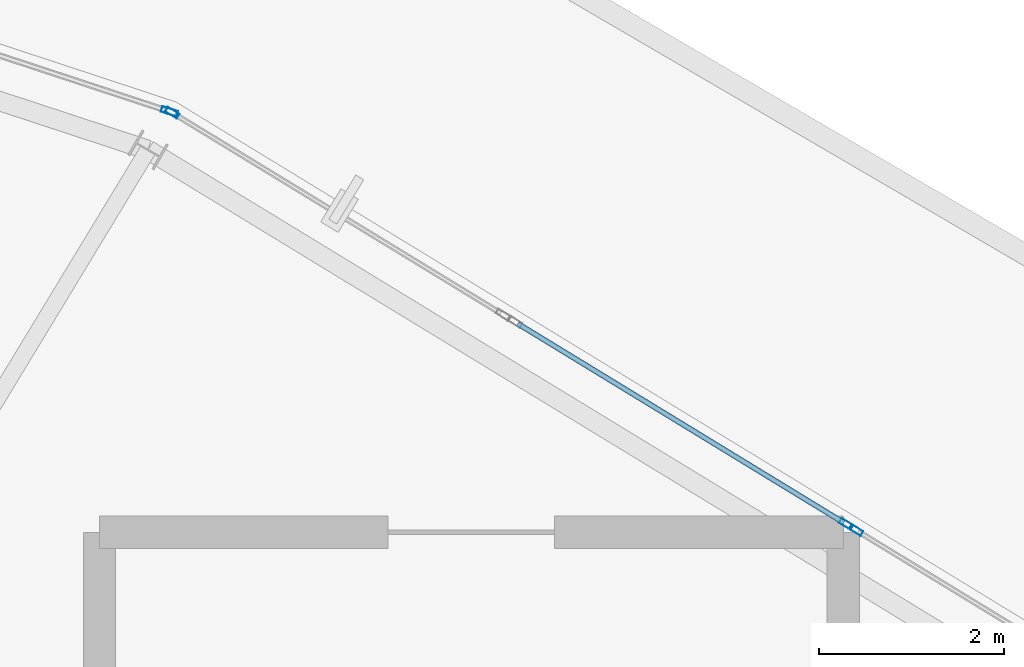
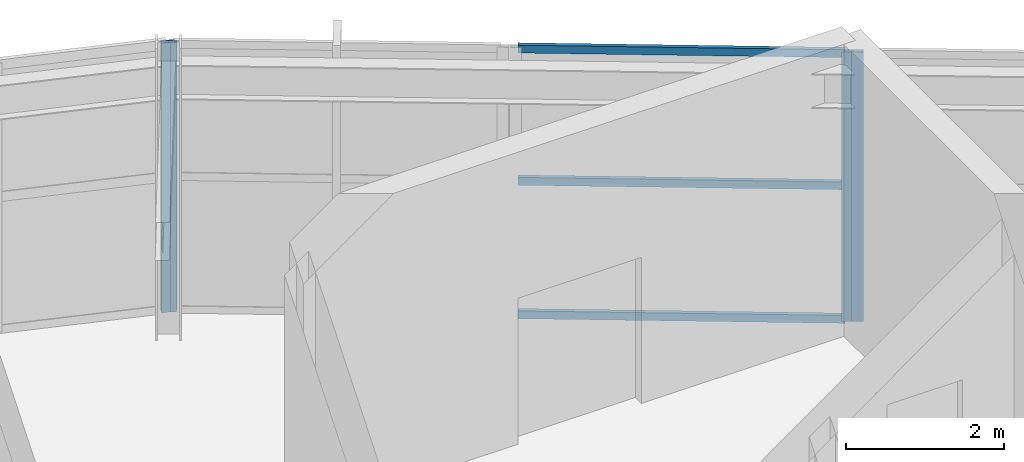
# One storey, part 79 of 126: 7 members, 4 elements without a shape of their own.
"""IFC4 building model written with IfcOpenShell, lengths in metres."""

from ifc_helpers import new_model, si_unit, direction, frame, origin, origin_2d, place, context, subcontext, project, spatial, hollow_rectangle, extrude, material, layer, layer_set, material_profile, profile_set, type_object, element, aggregate, save


model = new_model("IFC4")

# Units and contexts
model_context = context("Model", 3, precision=1e-05, world=origin(), true_north=direction((0.0, 1.0)))
body_context = subcontext(model_context, "Body", "Model", "MODEL_VIEW")
ifc_project = project(units=[si_unit("LENGTHUNIT", "METRE"), si_unit("AREAUNIT", "SQUARE_METRE"), si_unit("VOLUMEUNIT", "CUBIC_METRE"), si_unit("PLANEANGLEUNIT", "RADIAN"), si_unit("MASSUNIT", "GRAM", prefix="KILO")], contexts=[model_context])

# Site, building, storey
site_placement = place(None, origin())
site = spatial("IfcSite", under=ifc_project, at=site_placement, CompositionType="ELEMENT")
building_placement = place(site_placement, origin())
building = spatial("IfcBuilding", under=site, at=building_placement, Name="Kalgoora Escarpment Arena", CompositionType="ELEMENT")
storey_placement = place(building_placement, frame((0.0, 0.0, 18.89990234375)))
storey = spatial("IfcBuildingStorey", under=building, at=storey_placement, Name="L04", CompositionType="ELEMENT", Elevation=18.89990234375)

# Curtain wall, member
ifc_material_1 = material(Name=" Champagne anodised aluminium & double-glazed low-E", Category="aluminium")
ifc_layer_1 = layer(ifc_material_1, 0.154052734375)
ifc_layer_set_1 = layer_set([ifc_layer_1], Name="CW-UNIT-11")
curtain_wall_type_1 = type_object("IfcCurtainWallType", Name="CW-UNIT-11", PredefinedType="NOTDEFINED", material=ifc_layer_set_1)
curtain_wall_1_placement = place(storey_placement, origin())
curtain_wall_1 = element("IfcCurtainWall", 1, at=curtain_wall_1_placement, inside=storey, type_object=curtain_wall_type_1, Name="L04 unitised facade curtain wall 170", PredefinedType="NOTDEFINED")
ifc_material_2 = material(Name="Anodised aluminium 6063-T6", Category="aluminium")
ifc_material_profile_1 = material_profile(ifc_material_2, hollow_rectangle(XDim=0.06005859375, YDim=0.14990234375, WallThickness=0.00341796875, at=origin_2d()))
ifc_profile_set_1 = profile_set([ifc_material_profile_1], Name="Anodised aluminium 6063-T6")
member_type_1 = type_object("IfcMemberType", Name="MEM-CW-MULL-150", PredefinedType="MULLION", material=ifc_profile_set_1)
member_1_placement = place(storey_placement, frame((128.56298828125, 113.76513671875, 0.02001953125), z_axis=(0.0, 0.0, 1.0), x_axis=(0.521058961304, 0.853520684485, 0.0)))
member_1 = element("IfcMember", 2, at=member_1_placement, type_object=member_type_1, Name="CW-11 mullion 1", PredefinedType="MULLION", context=body_context, shape_type="SweptSolid", body=[
    extrude(hollow_rectangle(XDim=0.06005859375, YDim=0.14990234375, WallThickness=0.00341796875, at=origin_2d()), origin(), (0.0, 0.0, 1.0), 4.150146484375),
])
aggregate(curtain_wall_1, [member_1])

ifc_material_3 = material(Name=" Champagne anodised aluminium & double-glazed low-E", Category="aluminium")
ifc_layer_2 = layer(ifc_material_3, 0.157958984375)
ifc_layer_set_2 = layer_set([ifc_layer_2], Name="CW-UNIT-12")
curtain_wall_type_2 = type_object("IfcCurtainWallType", Name="CW-UNIT-12", PredefinedType="NOTDEFINED", material=ifc_layer_set_2)
curtain_wall_2_placement = place(storey_placement, origin())
curtain_wall_2 = element("IfcCurtainWall", 3, at=curtain_wall_2_placement, inside=storey, type_object=curtain_wall_type_2, Name="L04 unitised facade curtain wall 171", PredefinedType="NOTDEFINED")
member_2_placement = place(storey_placement, frame((135.855712890625, 109.313232421875, 0.02001953125), z_axis=(0.0, 0.0, 1.0), x_axis=(0.521048501858, 0.853527069701, 0.0)))
member_2 = element("IfcMember", 4, at=member_2_placement, type_object=member_type_1, Name="CW-12 mullion 2", PredefinedType="MULLION", context=body_context, shape_type="SweptSolid", body=[
    extrude(hollow_rectangle(XDim=0.06005859375, YDim=0.14990234375, WallThickness=0.00341796875, at=origin_2d()), origin(), (0.0, 0.0, 1.0), 4.150146484375),
])

ifc_material_4 = material(Name=" Champagne anodised aluminium & double-glazed low-E", Category="aluminium")
ifc_layer_3 = layer(ifc_material_4, 0.162109375)
ifc_layer_set_3 = layer_set([ifc_layer_3], Name="CW-UNIT-13")
curtain_wall_type_3 = type_object("IfcCurtainWallType", Name="CW-UNIT-13", PredefinedType="NOTDEFINED", material=ifc_layer_set_3)
curtain_wall_3_placement = place(storey_placement, origin())
curtain_wall_3 = element("IfcCurtainWall", 5, at=curtain_wall_3_placement, inside=storey, type_object=curtain_wall_type_3, Name="L04 unitised facade curtain wall 172", PredefinedType="NOTDEFINED")
member_3_placement = place(storey_placement, frame((135.963134765625, 109.24755859375, 0.02001953125), z_axis=(0.0, 0.0, 1.0), x_axis=(0.52106650732, 0.853516077733, 0.0)))
member_3 = element("IfcMember", 6, at=member_3_placement, type_object=member_type_1, Name="CW-13 mullion 1", PredefinedType="MULLION", context=body_context, shape_type="SweptSolid", body=[
    extrude(hollow_rectangle(XDim=0.06005859375, YDim=0.14990234375, WallThickness=0.00341796875, at=origin_2d()), origin(), (0.0, 0.0, 1.0), 4.150146484375),
])
aggregate(curtain_wall_3, [member_3])

ifc_material_5 = material(Name=" Champagne anodised aluminium & double-glazed low-E", Category="aluminium")
ifc_layer_4 = layer(ifc_material_5, 0.14990234375)
ifc_layer_set_4 = layer_set([ifc_layer_4], Name="CW-UNIT-10")
curtain_wall_type_4 = type_object("IfcCurtainWallType", Name="CW-UNIT-10", PredefinedType="NOTDEFINED", material=ifc_layer_set_4)
curtain_wall_4_placement = place(storey_placement, origin())
curtain_wall_4 = element("IfcCurtainWall", 7, at=curtain_wall_4_placement, inside=storey, type_object=curtain_wall_type_4, Name="L04 unitised facade curtain wall 169", PredefinedType="NOTDEFINED")
ifc_material_6 = material(Name="Anodised aluminium 6063-T6", Category="aluminium")
ifc_material_profile_2 = material_profile(ifc_material_6, hollow_rectangle(XDim=0.06494140625, YDim=0.179931640625, WallThickness=0.00390625, at=origin_2d()))
ifc_profile_set_2 = profile_set([ifc_material_profile_2], Name="Anodised aluminium 6063-T6")
member_type_2 = type_object("IfcMemberType", Name="MEM-CW-MULL-180", PredefinedType="MULLION", material=ifc_profile_set_2)
member_4_placement = place(storey_placement, frame((128.531494140625, 113.779296875, 0.02001953125), z_axis=(0.0, 0.0, 1.0), x_axis=(0.312985861452, 0.949757785191, 0.0)))
member_4 = element("IfcMember", 8, at=member_4_placement, type_object=member_type_2, Name="CW-10 mullion 3", PredefinedType="MULLION", context=body_context, shape_type="SweptSolid", body=[
    extrude(hollow_rectangle(XDim=0.06494140625, YDim=0.179931640625, WallThickness=0.00390625, at=origin_2d()), origin(), (0.0, 0.0, 1.0), 4.150146484375),
])
aggregate(curtain_wall_4, [member_4])

# Member
ifc_material_7 = material(Name="Anodised aluminium 6063-T6", Category="aluminium")
ifc_material_profile_3 = material_profile(ifc_material_7, hollow_rectangle(XDim=0.054931640625, YDim=0.1201171875, WallThickness=0.003173828125, at=origin_2d()))
ifc_profile_set_3 = profile_set([ifc_material_profile_3], Name="Anodised aluminium 6063-T6")
member_type_3 = type_object("IfcMemberType", Name="MEM-CW-TRAN-120", PredefinedType="USERDEFINED", material=ifc_profile_set_3)
member_5_placement = place(storey_placement, frame((132.30322265625, 111.48193359375, 0.047607421875), z_axis=(0.853521264448, -0.521058011295, 0.0), x_axis=(0.521058011295, 0.853521264448, 0.0)))
member_5 = element("IfcMember", 9, at=member_5_placement, type_object=member_type_3, Name="CW-12 transom 1.1", ObjectType="TRANSOM", PredefinedType="USERDEFINED", context=body_context, shape_type="SweptSolid", body=[
    extrude(hollow_rectangle(XDim=0.054931640625, YDim=0.1201171875, WallThickness=0.003173828125, at=origin_2d()), origin(), (0.0, 0.0, 1.0), 4.132080078125),
])

member_6_placement = place(storey_placement, frame((132.30322265625, 111.48193359375, 2.10498046875), z_axis=(0.853521264448, -0.521058011295, 0.0), x_axis=(0.521058011295, 0.853521264448, 0.0)))
member_6 = element("IfcMember", 10, at=member_6_placement, type_object=member_type_3, Name="CW-12 transom 1.2", ObjectType="TRANSOM", PredefinedType="USERDEFINED", context=body_context, shape_type="SweptSolid", body=[
    extrude(hollow_rectangle(XDim=0.054931640625, YDim=0.1201171875, WallThickness=0.003173828125, at=origin_2d()), origin(), (0.0, 0.0, 1.0), 4.132080078125),
])

member_7_placement = place(storey_placement, frame((132.30322265625, 111.48193359375, 4.142578125), z_axis=(0.853521264448, -0.521058011295, 0.0), x_axis=(0.521058011295, 0.853521264448, 0.0)))
member_7 = element("IfcMember", 11, at=member_7_placement, type_object=member_type_3, Name="CW-12 transom 1.3", ObjectType="TRANSOM", PredefinedType="USERDEFINED", context=body_context, shape_type="SweptSolid", body=[
    extrude(hollow_rectangle(XDim=0.054931640625, YDim=0.1201171875, WallThickness=0.003173828125, at=origin_2d()), origin(), (0.0, 0.0, 1.0), 4.132080078125),
])

aggregate(curtain_wall_2, [member_2, member_5, member_6, member_7])

save(model, "model.ifc")
